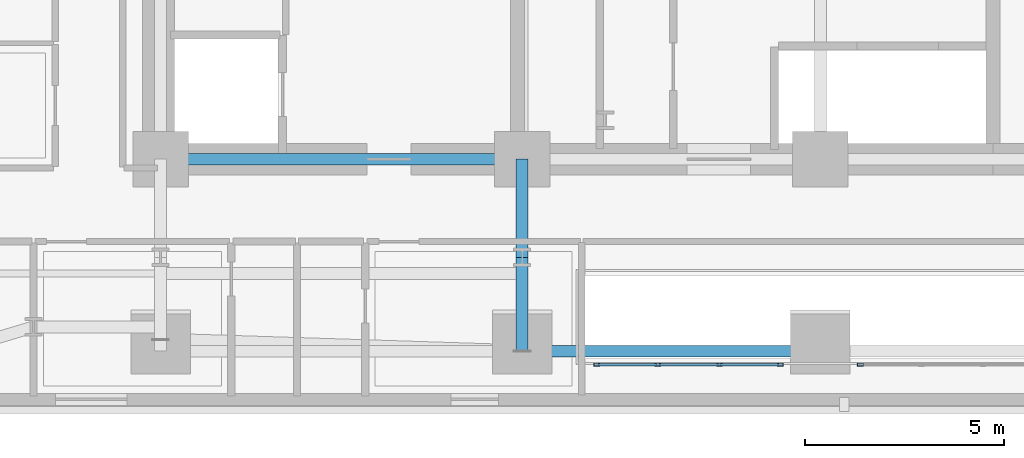
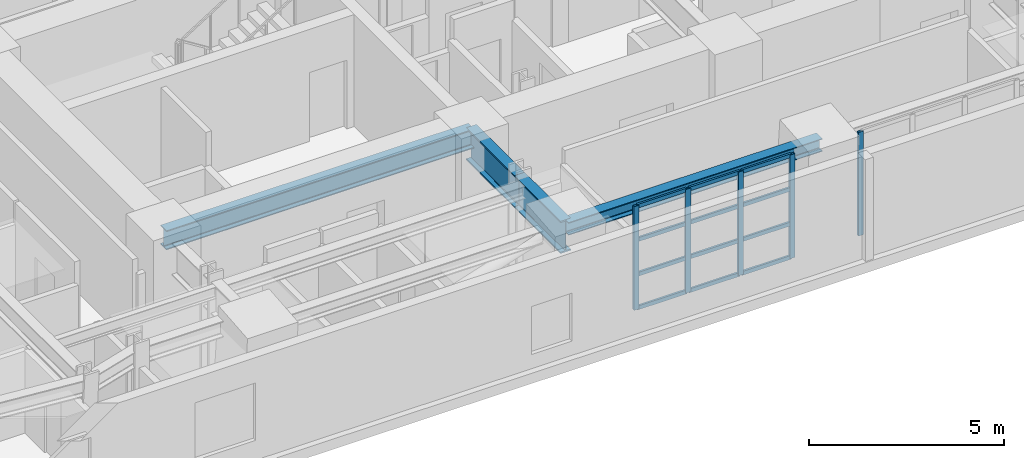
# One storey, part 2 of 16: 17 members, 4 beams, 2 elements without a shape of their own.
"""IFC4 building model written with IfcOpenShell, lengths in metres."""

from ifc_helpers import new_model, si_unit, direction, frame, origin, origin_2d, place, context, subcontext, project, spatial, hollow_rectangle, i_section, extrude, material, layer, layer_set, material_profile, profile_set, type_object, element, aggregate, save


model = new_model("IFC4")

# Units and contexts
model_context = context("Model", 3, precision=1e-05, world=origin(), true_north=direction((0.0, 1.0)))
body_context = subcontext(model_context, "Body", "Model", "MODEL_VIEW")
ifc_project = project(units=[si_unit("LENGTHUNIT", "METRE"), si_unit("AREAUNIT", "SQUARE_METRE"), si_unit("VOLUMEUNIT", "CUBIC_METRE"), si_unit("PLANEANGLEUNIT", "RADIAN"), si_unit("MASSUNIT", "GRAM", prefix="KILO")], contexts=[model_context])

# Site, building, storey
site_placement = place(None, origin())
site = spatial("IfcSite", under=ifc_project, at=site_placement, CompositionType="ELEMENT")
building_placement = place(site_placement, origin())
building = spatial("IfcBuilding", under=site, at=building_placement, Name="Zarnavel Station Tower", CompositionType="ELEMENT")
storey_placement = place(building_placement, frame((0.0, 0.0, 32.5)))
storey = spatial("IfcBuildingStorey", under=building, at=storey_placement, Name="L08", CompositionType="ELEMENT", Elevation=32.5)

# Curtain wall, members
ifc_material_1 = material(Name="Aluminium Dark Anodised and Solar-Control Glass", Category="aluminium")
ifc_layer = layer(ifc_material_1, 0.179931640625)
ifc_layer_set = layer_set([ifc_layer], Name="CWS2")
curtain_wall_type = type_object("IfcCurtainWallType", Name="CWS2", PredefinedType="NOTDEFINED", material=ifc_layer_set)
curtain_wall_1_placement = place(storey_placement, origin())
curtain_wall_1 = element("IfcCurtainWall", 1, at=curtain_wall_1_placement, inside=storey, type_object=curtain_wall_type, Name="L08 Curtain Wall CWS2-L08-AS-S1", PredefinedType="NOTDEFINED")
ifc_material_2 = material(Name="Steel S355J2 (Black Fluoropolymer Coated)", Category="steel")
ifc_material_profile_1 = material_profile(ifc_material_2, hollow_rectangle(XDim=0.074951171875, YDim=0.14990234375, WallThickness=0.00634765625, at=origin_2d()), Name="RHS150x75x6.3")
ifc_profile_set_1 = profile_set([ifc_material_profile_1], Name="Steel S355J2 (Black Fluoropolymer Coated)")
member_type_1 = type_object("IfcMemberType", Name="CWS2_MUL", PredefinedType="MULLION", material=ifc_profile_set_1)
member_1_placement = place(storey_placement, frame((23.179931640625, 22.64990234375, 0.0), z_axis=(0.0, 0.0, 1.0), x_axis=(0.0, 1.0, 0.0)))
member_1 = element("IfcMember", 2, at=member_1_placement, type_object=member_type_1, Name="CW2 mullion 1", PredefinedType="MULLION", context=body_context, shape_type="SweptSolid", body=[
    extrude(hollow_rectangle(XDim=0.074951171875, YDim=0.14990234375, WallThickness=0.00634765625, at=origin_2d()), origin(), (0.0, 0.0, 1.0), 3.239990234375),
])
member_2_placement = place(storey_placement, frame((24.706787109375, 22.64990234375, 0.0), z_axis=(0.0, 0.0, 1.0), x_axis=(0.0, 1.0, 0.0)))
member_2 = element("IfcMember", 3, at=member_2_placement, type_object=member_type_1, Name="CW2 mullion 2", PredefinedType="MULLION", context=body_context, shape_type="SweptSolid", body=[
    extrude(hollow_rectangle(XDim=0.074951171875, YDim=0.14990234375, WallThickness=0.00634765625, at=origin_2d()), origin(), (0.0, 0.0, 1.0), 3.239990234375),
])
member_3_placement = place(storey_placement, frame((26.263427734375, 22.64990234375, 0.0), z_axis=(0.0, 0.0, 1.0), x_axis=(0.0, 1.0, 0.0)))
member_3 = element("IfcMember", 4, at=member_3_placement, type_object=member_type_1, Name="CW2 mullion 3", PredefinedType="MULLION", context=body_context, shape_type="SweptSolid", body=[
    extrude(hollow_rectangle(XDim=0.074951171875, YDim=0.14990234375, WallThickness=0.00634765625, at=origin_2d()), origin(), (0.0, 0.0, 1.0), 3.239990234375),
])
member_4_placement = place(storey_placement, frame((27.7900390625, 22.64990234375, 0.0), z_axis=(0.0, 0.0, 1.0), x_axis=(0.0, 1.0, 0.0)))
member_4 = element("IfcMember", 5, at=member_4_placement, type_object=member_type_1, Name="CW2 mullion 4", PredefinedType="MULLION", context=body_context, shape_type="SweptSolid", body=[
    extrude(hollow_rectangle(XDim=0.074951171875, YDim=0.14990234375, WallThickness=0.00634765625, at=origin_2d()), origin(), (0.0, 0.0, 1.0), 3.239990234375),
])

# Curtain wall, member
curtain_wall_2_placement = place(storey_placement, origin())
curtain_wall_2 = element("IfcCurtainWall", 6, at=curtain_wall_2_placement, inside=storey, type_object=curtain_wall_type, Name="L08 Curtain Wall CWS2-L08-AS-S2", PredefinedType="NOTDEFINED")
member_5_placement = place(storey_placement, frame((29.81005859375, 22.64990234375, 0.0), z_axis=(0.0, 0.0, 1.0), x_axis=(0.0, 1.0, 0.0)))
member_5 = element("IfcMember", 7, at=member_5_placement, type_object=member_type_1, Name="CW2 mullion 1", PredefinedType="MULLION", context=body_context, shape_type="SweptSolid", body=[
    extrude(hollow_rectangle(XDim=0.074951171875, YDim=0.14990234375, WallThickness=0.00634765625, at=origin_2d()), origin(), (0.0, 0.0, 1.0), 3.239990234375),
])
aggregate(curtain_wall_2, [member_5])

# Member
ifc_material_3 = material(Name="Steel S355J2 (Black Fluoropolymer Coated)", Category="steel")
ifc_material_profile_2 = material_profile(ifc_material_3, hollow_rectangle(XDim=0.06005859375, YDim=0.1201171875, WallThickness=0.0048828125, at=origin_2d()), Name="RHS120x60x5")
ifc_profile_set_2 = profile_set([ifc_material_profile_2], Name="Steel S355J2 (Black Fluoropolymer Coated)")
member_type_2 = type_object("IfcMemberType", Name="CWS2_TRN", PredefinedType="USERDEFINED", material=ifc_profile_set_2)
member_6_placement = place(storey_placement, frame((23.2099609375, 22.64990234375, 0.030029296875), z_axis=(1.0, 0.0, 0.0), x_axis=(0.0, 1.0, 0.0)))
member_6 = element("IfcMember", 8, at=member_6_placement, type_object=member_type_2, Name="CW2 transom 1.1", ObjectType="TRANSOM", PredefinedType="USERDEFINED", context=body_context, shape_type="SweptSolid", body=[
    extrude(hollow_rectangle(XDim=0.06005859375, YDim=0.1201171875, WallThickness=0.0048828125, at=origin_2d()), origin(), (0.0, 0.0, 1.0), 1.466796875),
])

member_7_placement = place(storey_placement, frame((23.2099609375, 22.64990234375, 1.080078125), z_axis=(1.0, 0.0, 0.0), x_axis=(0.0, 1.0, 0.0)))
member_7 = element("IfcMember", 9, at=member_7_placement, type_object=member_type_2, Name="CW2 transom 1.2", ObjectType="TRANSOM", PredefinedType="USERDEFINED", context=body_context, shape_type="SweptSolid", body=[
    extrude(hollow_rectangle(XDim=0.06005859375, YDim=0.1201171875, WallThickness=0.0048828125, at=origin_2d()), origin(), (0.0, 0.0, 1.0), 1.466796875),
])

member_8_placement = place(storey_placement, frame((23.2099609375, 22.64990234375, 2.159912109375), z_axis=(1.0, 0.0, 0.0), x_axis=(0.0, 1.0, 0.0)))
member_8 = element("IfcMember", 10, at=member_8_placement, type_object=member_type_2, Name="CW2 transom 1.3", ObjectType="TRANSOM", PredefinedType="USERDEFINED", context=body_context, shape_type="SweptSolid", body=[
    extrude(hollow_rectangle(XDim=0.06005859375, YDim=0.1201171875, WallThickness=0.0048828125, at=origin_2d()), origin(), (0.0, 0.0, 1.0), 1.466796875),
])

member_9_placement = place(storey_placement, frame((23.2099609375, 22.64990234375, 3.2099609375), z_axis=(1.0, 0.0, 0.0), x_axis=(0.0, 1.0, 0.0)))
member_9 = element("IfcMember", 11, at=member_9_placement, type_object=member_type_2, Name="CW2 transom 1.4", ObjectType="TRANSOM", PredefinedType="USERDEFINED", context=body_context, shape_type="SweptSolid", body=[
    extrude(hollow_rectangle(XDim=0.06005859375, YDim=0.1201171875, WallThickness=0.0048828125, at=origin_2d()), origin(), (0.0, 0.0, 1.0), 1.466796875),
])

member_10_placement = place(storey_placement, frame((24.736572265625, 22.64990234375, 0.030029296875), z_axis=(1.0, 0.0, 0.0), x_axis=(0.0, 1.0, 0.0)))
member_10 = element("IfcMember", 12, at=member_10_placement, type_object=member_type_2, Name="CW2 transom 2.1", ObjectType="TRANSOM", PredefinedType="USERDEFINED", context=body_context, shape_type="SweptSolid", body=[
    extrude(hollow_rectangle(XDim=0.06005859375, YDim=0.1201171875, WallThickness=0.0048828125, at=origin_2d()), origin(), (0.0, 0.0, 1.0), 1.496826171875),
])

member_11_placement = place(storey_placement, frame((24.736572265625, 22.64990234375, 1.080078125), z_axis=(1.0, 0.0, 0.0), x_axis=(0.0, 1.0, 0.0)))
member_11 = element("IfcMember", 13, at=member_11_placement, type_object=member_type_2, Name="CW2 transom 2.2", ObjectType="TRANSOM", PredefinedType="USERDEFINED", context=body_context, shape_type="SweptSolid", body=[
    extrude(hollow_rectangle(XDim=0.06005859375, YDim=0.1201171875, WallThickness=0.0048828125, at=origin_2d()), origin(), (0.0, 0.0, 1.0), 1.496826171875),
])

member_12_placement = place(storey_placement, frame((24.736572265625, 22.64990234375, 2.159912109375), z_axis=(1.0, 0.0, 0.0), x_axis=(0.0, 1.0, 0.0)))
member_12 = element("IfcMember", 14, at=member_12_placement, type_object=member_type_2, Name="CW2 transom 2.3", ObjectType="TRANSOM", PredefinedType="USERDEFINED", context=body_context, shape_type="SweptSolid", body=[
    extrude(hollow_rectangle(XDim=0.06005859375, YDim=0.1201171875, WallThickness=0.0048828125, at=origin_2d()), origin(), (0.0, 0.0, 1.0), 1.496826171875),
])

member_13_placement = place(storey_placement, frame((24.736572265625, 22.64990234375, 3.2099609375), z_axis=(1.0, 0.0, 0.0), x_axis=(0.0, 1.0, 0.0)))
member_13 = element("IfcMember", 15, at=member_13_placement, type_object=member_type_2, Name="CW2 transom 2.4", ObjectType="TRANSOM", PredefinedType="USERDEFINED", context=body_context, shape_type="SweptSolid", body=[
    extrude(hollow_rectangle(XDim=0.06005859375, YDim=0.1201171875, WallThickness=0.0048828125, at=origin_2d()), origin(), (0.0, 0.0, 1.0), 1.496826171875),
])

member_14_placement = place(storey_placement, frame((26.293212890625, 22.64990234375, 0.030029296875), z_axis=(1.0, 0.0, 0.0), x_axis=(0.0, 1.0, 0.0)))
member_14 = element("IfcMember", 16, at=member_14_placement, type_object=member_type_2, Name="CW2 transom 3.1", ObjectType="TRANSOM", PredefinedType="USERDEFINED", context=body_context, shape_type="SweptSolid", body=[
    extrude(hollow_rectangle(XDim=0.06005859375, YDim=0.1201171875, WallThickness=0.0048828125, at=origin_2d()), origin(), (0.0, 0.0, 1.0), 1.466796875),
])

member_15_placement = place(storey_placement, frame((26.293212890625, 22.64990234375, 1.080078125), z_axis=(1.0, 0.0, 0.0), x_axis=(0.0, 1.0, 0.0)))
member_15 = element("IfcMember", 17, at=member_15_placement, type_object=member_type_2, Name="CW2 transom 3.2", ObjectType="TRANSOM", PredefinedType="USERDEFINED", context=body_context, shape_type="SweptSolid", body=[
    extrude(hollow_rectangle(XDim=0.06005859375, YDim=0.1201171875, WallThickness=0.0048828125, at=origin_2d()), origin(), (0.0, 0.0, 1.0), 1.466796875),
])

member_16_placement = place(storey_placement, frame((26.293212890625, 22.64990234375, 2.159912109375), z_axis=(1.0, 0.0, 0.0), x_axis=(0.0, 1.0, 0.0)))
member_16 = element("IfcMember", 18, at=member_16_placement, type_object=member_type_2, Name="CW2 transom 3.3", ObjectType="TRANSOM", PredefinedType="USERDEFINED", context=body_context, shape_type="SweptSolid", body=[
    extrude(hollow_rectangle(XDim=0.06005859375, YDim=0.1201171875, WallThickness=0.0048828125, at=origin_2d()), origin(), (0.0, 0.0, 1.0), 1.466796875),
])

member_17_placement = place(storey_placement, frame((26.293212890625, 22.64990234375, 3.2099609375), z_axis=(1.0, 0.0, 0.0), x_axis=(0.0, 1.0, 0.0)))
member_17 = element("IfcMember", 19, at=member_17_placement, type_object=member_type_2, Name="CW2 transom 3.4", ObjectType="TRANSOM", PredefinedType="USERDEFINED", context=body_context, shape_type="SweptSolid", body=[
    extrude(hollow_rectangle(XDim=0.06005859375, YDim=0.1201171875, WallThickness=0.0048828125, at=origin_2d()), origin(), (0.0, 0.0, 1.0), 1.466796875),
])

aggregate(curtain_wall_1, [member_1, member_2, member_3, member_4, member_6, member_7, member_8, member_9, member_10, member_11, member_12, member_13, member_14, member_15, member_16, member_17])

# Beams
ifc_material_4 = material(Name="Steel S355J2", Category="steel")
ifc_material_profile_3 = material_profile(ifc_material_4, i_section(OverallWidth=0.300048828125, OverallDepth=0.39990234375, WebThickness=0.013427734375, FlangeThickness=0.02392578125, FilletRadius=0.027099609375, at=origin_2d()), Name="HEB400")
ifc_profile_set_3 = profile_set([ifc_material_profile_3], Name="Steel S355J2")
beam_type_1 = type_object("IfcBeamType", Name="EB_HEB400", PredefinedType="SPANDREL", material=ifc_profile_set_3)
beam_1_placement = place(storey_placement, frame((21.300048828125, 22.9892578125, 3.0400390625), z_axis=(1.0, 0.0, 0.0), x_axis=(0.0, 1.0, 0.0)))
element("IfcBeam", 20, at=beam_1_placement, inside=storey, type_object=beam_type_1, Name="L08 South Raked Spandrel 2", PredefinedType="SPANDREL", context=body_context, shape_type="SweptSolid", body=[
    extrude(i_section(OverallWidth=0.300048828125, OverallDepth=0.39990234375, WebThickness=0.013427734375, FlangeThickness=0.02392578125, FilletRadius=0.027099609375, at=origin_2d()), origin(), (0.0, 0.0, 1.0), 7.5),
])
ifc_material_5 = material(Name="Steel S355J2", Category="steel")
ifc_material_profile_4 = material_profile(ifc_material_5, i_section(OverallWidth=0.300048828125, OverallDepth=0.60009765625, WebThickness=0.015380859375, FlangeThickness=0.030029296875, FilletRadius=0.027099609375, at=origin_2d()), Name="HEB600")
ifc_profile_set_4 = profile_set([ifc_material_profile_4], Name="Steel S355J2")
beam_type_2 = type_object("IfcBeamType", Name="FG_HEB600", PredefinedType="USERDEFINED", material=ifc_profile_set_4)
beam_2_placement = place(storey_placement, frame((12.199951171875, 27.820068359375, 2.93994140625), z_axis=(1.0, 0.0, 0.0), x_axis=(0.0, 1.0, 0.0)))
element("IfcBeam", 21, at=beam_2_placement, inside=storey, type_object=beam_type_2, Name="L08 Core Front Coupling Beam 1", ObjectType="GIRDER", PredefinedType="USERDEFINED", context=body_context, shape_type="SweptSolid", body=[
    extrude(i_section(OverallWidth=0.300048828125, OverallDepth=0.60009765625, WebThickness=0.015380859375, FlangeThickness=0.030029296875, FilletRadius=0.027099609375, at=origin_2d()), origin(), (0.0, 0.0, 1.0), 9.10009765625),
])
ifc_material_6 = material(Name="Steel S460M", Category="steel")
ifc_material_profile_5 = material_profile(ifc_material_6, i_section(OverallWidth=0.302001953125, OverallDepth=1.008056640625, WebThickness=0.02099609375, FlangeThickness=0.0400390625, FilletRadius=0.030029296875, at=origin_2d()), Name="HEM1000")
ifc_profile_set_5 = profile_set([ifc_material_profile_5], Name="Steel S460M")
beam_type_3 = type_object("IfcBeamType", Name="TG_HEM1000", PredefinedType="USERDEFINED", material=ifc_profile_set_5)
beam_3_placement = place(storey_placement, frame((21.300048828125, 22.9892578125, 2.736083984375), z_axis=(0.0, 1.0, 0.0), x_axis=(-1.0, 0.0, 0.0)))
element("IfcBeam", 22, at=beam_3_placement, inside=storey, type_object=beam_type_3, Name="L08 South-Zone NS Girder 2", ObjectType="GIRDER", PredefinedType="USERDEFINED", context=body_context, shape_type="SweptSolid", body=[
    extrude(i_section(OverallWidth=0.302001953125, OverallDepth=1.008056640625, WebThickness=0.02099609375, FlangeThickness=0.0400390625, FilletRadius=0.030029296875, at=origin_2d()), origin(), (0.0, 0.0, 1.0), 2.36083984375),
])
beam_4_placement = place(storey_placement, frame((21.300048828125, 25.35009765625, 2.736083984375), z_axis=(0.0, 1.0, 0.0), x_axis=(-1.0, 0.0, 0.0)))
element("IfcBeam", 23, at=beam_4_placement, inside=storey, type_object=beam_type_3, Name="L08 Inner-Zone NS Girder 2", ObjectType="GIRDER", PredefinedType="USERDEFINED", context=body_context, shape_type="SweptSolid", body=[
    extrude(i_section(OverallWidth=0.302001953125, OverallDepth=1.008056640625, WebThickness=0.02099609375, FlangeThickness=0.0400390625, FilletRadius=0.030029296875, at=origin_2d()), origin(), (0.0, 0.0, 1.0), 2.469970703125),
])

save(model, "model.ifc")
